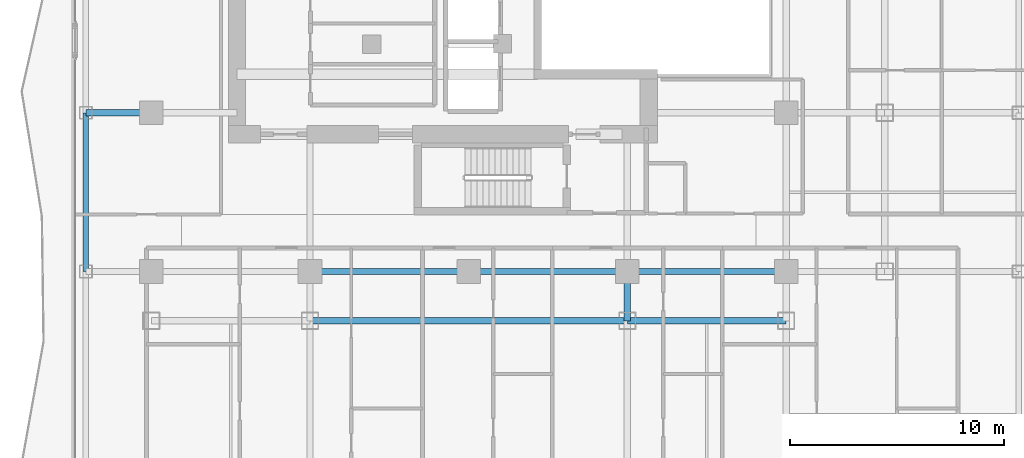
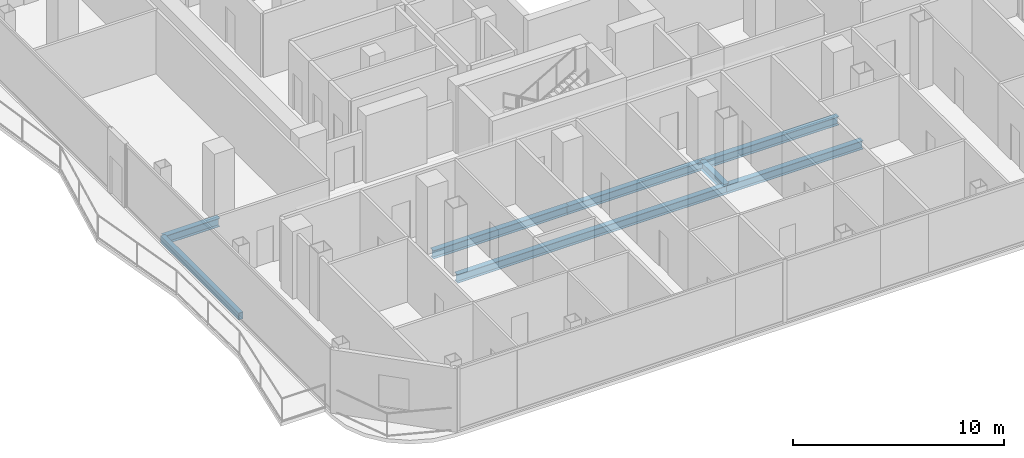
# One storey, part 5 of 26: 8 beams.
"""IFC4 building model written with IfcOpenShell, lengths in metres."""

from ifc_helpers import new_model, si_unit, direction, frame, origin, origin_2d, place, context, subcontext, project, spatial, hollow_rectangle, i_section, extrude, material, material_profile, profile_set, type_object, element, save


model = new_model("IFC4")

# Units and contexts
model_context = context("Model", 3, precision=1e-05, world=origin(), true_north=direction((0.0, 1.0)))
body_context = subcontext(model_context, "Body", "Model", "MODEL_VIEW")
ifc_project = project(units=[si_unit("LENGTHUNIT", "METRE"), si_unit("AREAUNIT", "SQUARE_METRE"), si_unit("VOLUMEUNIT", "CUBIC_METRE"), si_unit("PLANEANGLEUNIT", "RADIAN"), si_unit("MASSUNIT", "GRAM", prefix="KILO")], contexts=[model_context])

# Site, building, storey
site_placement = place(None, origin())
site = spatial("IfcSite", under=ifc_project, at=site_placement, CompositionType="ELEMENT")
building_placement = place(site_placement, origin())
building = spatial("IfcBuilding", under=site, at=building_placement, Name="Khorvyn Point Tower", CompositionType="ELEMENT")
storey_placement = place(building_placement, frame((0.0, 0.0, 223.5)))
storey = spatial("IfcBuildingStorey", under=building, at=storey_placement, Name="L55", CompositionType="ELEMENT", Elevation=223.5)

# Beams
ifc_material = material(Name="Steel S355", Category="steel")
ifc_material_profile_1 = material_profile(ifc_material, i_section(OverallWidth=0.300048828125, OverallDepth=0.488037109375, WebThickness=0.010986328125, FlangeThickness=0.01806640625, at=origin_2d()))
ifc_profile_set_1 = profile_set([ifc_material_profile_1], Name="Steel S355 H488x300x11x18")
beam_type_1 = type_object("IfcBeamType", Name="Steel S355 Spandrel H488x300x11x18", PredefinedType="SPANDREL", material=ifc_profile_set_1)
for number, where, z_axis, x_axis, name in (
    (1, (-7.39990234375, -14.800048828125, -0.464111328125), (1.0, 0.0, 0.0), (0.0, 1.0, 0.0), "Beam"),
    (2, (0.0, -14.800048828125, -0.464111328125), (1.0, 0.0, 0.0), (0.0, 1.0, 0.0), "Beam"),
):
    element("IfcBeam", number, at=place(storey_placement, frame(where, z_axis=z_axis, x_axis=x_axis)), inside=storey, type_object=beam_type_1, Name=name, PredefinedType="SPANDREL", context=body_context, shape_type="SweptSolid", body=[
        extrude(i_section(OverallWidth=0.300048828125, OverallDepth=0.488037109375, WebThickness=0.010986328125, FlangeThickness=0.01806640625, at=origin_2d()), origin(), (0.0, 0.0, 1.0), 7.39990234375),
    ])
beam_1_placement = place(storey_placement, frame((7.39990234375, -14.800048828125, -0.464111328125), z_axis=(1.0, 0.0, 0.0), x_axis=(0.0, 1.0, 0.0)))
element("IfcBeam", 3, at=beam_1_placement, inside=storey, type_object=beam_type_1, Name="Beam", PredefinedType="SPANDREL", context=body_context, shape_type="SweptSolid", body=[
    extrude(i_section(OverallWidth=0.300048828125, OverallDepth=0.488037109375, WebThickness=0.010986328125, FlangeThickness=0.01806640625, at=origin_2d()), origin(), (0.0, 0.0, 1.0), 7.400146484375),
])
beam_2_placement = place(storey_placement, frame((-17.85009765625, -7.39990234375, -0.464111328125), z_axis=(1.0, 0.0, 0.0), x_axis=(0.0, 1.0, 0.0)))
element("IfcBeam", 4, at=beam_2_placement, inside=storey, type_object=beam_type_1, Name="Beam", PredefinedType="SPANDREL", context=body_context, shape_type="SweptSolid", body=[
    extrude(i_section(OverallWidth=0.300048828125, OverallDepth=0.488037109375, WebThickness=0.010986328125, FlangeThickness=0.01806640625, at=origin_2d()), origin(), (0.0, 0.0, 1.0), 3.050048828125),
])
beam_3_placement = place(storey_placement, frame((-7.39990234375, -17.10009765625, -0.464111328125), z_axis=(1.0, 0.0, 0.0), x_axis=(0.0, 1.0, 0.0)))
element("IfcBeam", 5, at=beam_3_placement, inside=storey, type_object=beam_type_1, Name="Beam", PredefinedType="SPANDREL", context=body_context, shape_type="SweptSolid", body=[
    extrude(i_section(OverallWidth=0.300048828125, OverallDepth=0.488037109375, WebThickness=0.010986328125, FlangeThickness=0.01806640625, at=origin_2d()), origin(), (0.0, 0.0, 1.0), 14.7998046875),
])
beam_4_placement = place(storey_placement, frame((7.39990234375, -17.10009765625, -0.464111328125), z_axis=(1.0, 0.0, 0.0), x_axis=(0.0, 1.0, 0.0)))
element("IfcBeam", 6, at=beam_4_placement, inside=storey, type_object=beam_type_1, Name="Beam", PredefinedType="SPANDREL", context=body_context, shape_type="SweptSolid", body=[
    extrude(i_section(OverallWidth=0.300048828125, OverallDepth=0.488037109375, WebThickness=0.010986328125, FlangeThickness=0.01806640625, at=origin_2d()), origin(), (0.0, 0.0, 1.0), 7.400146484375),
])
beam_5_placement = place(storey_placement, frame((7.39990234375, -17.10009765625, -0.464111328125), z_axis=(0.0, 1.0, 0.0), x_axis=(-1.0, 0.0, 0.0)))
element("IfcBeam", 7, at=beam_5_placement, inside=storey, type_object=beam_type_1, Name="Beam", PredefinedType="SPANDREL", context=body_context, shape_type="SweptSolid", body=[
    extrude(i_section(OverallWidth=0.300048828125, OverallDepth=0.488037109375, WebThickness=0.010986328125, FlangeThickness=0.01806640625, at=origin_2d()), origin(), (0.0, 0.0, 1.0), 2.300048828125),
])
ifc_material_profile_2 = material_profile(ifc_material, hollow_rectangle(XDim=0.25, YDim=0.39990234375, WallThickness=0.01611328125, at=origin_2d()))
ifc_profile_set_2 = profile_set([ifc_material_profile_2], Name="Steel S355 RHS400x250x16")
beam_type_2 = type_object("IfcBeamType", Name="Steel S355 Spandrel RHS400x250x16", PredefinedType="SPANDREL", material=ifc_profile_set_2)
beam_6_placement = place(storey_placement, frame((-17.85009765625, -14.800048828125, -0.419921875), z_axis=(0.0, 1.0, 0.0), x_axis=(-1.0, 0.0, 0.0)))
element("IfcBeam", 8, at=beam_6_placement, inside=storey, type_object=beam_type_2, Name="Beam", PredefinedType="SPANDREL", context=body_context, shape_type="SweptSolid", body=[
    extrude(hollow_rectangle(XDim=0.25, YDim=0.39990234375, WallThickness=0.01611328125, at=origin_2d()), origin(), (0.0, 0.0, 1.0), 7.400146484375),
])

save(model, "model.ifc")
